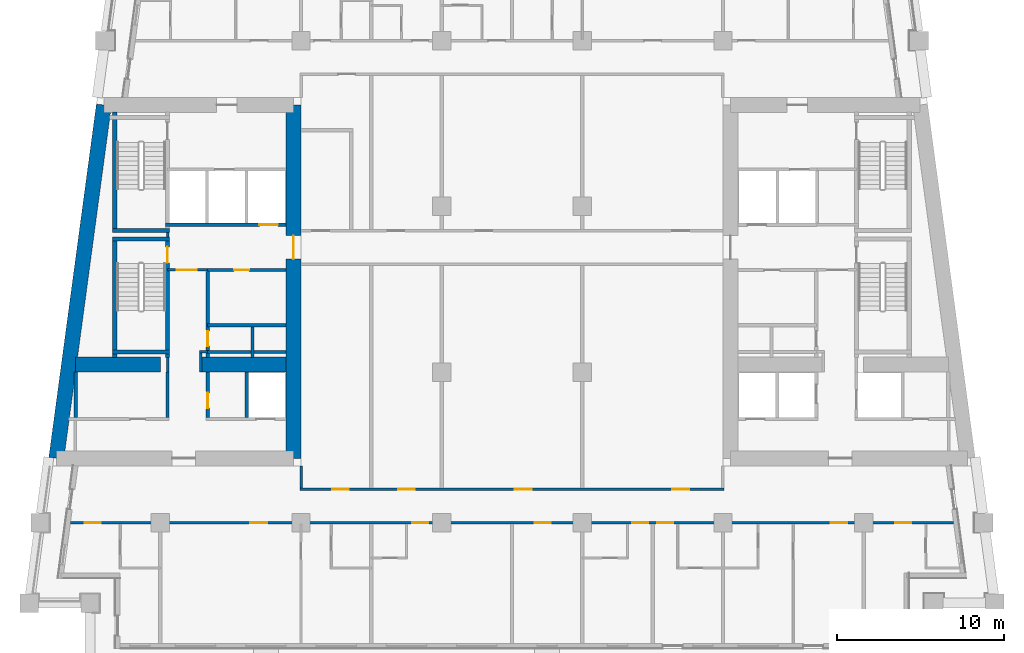
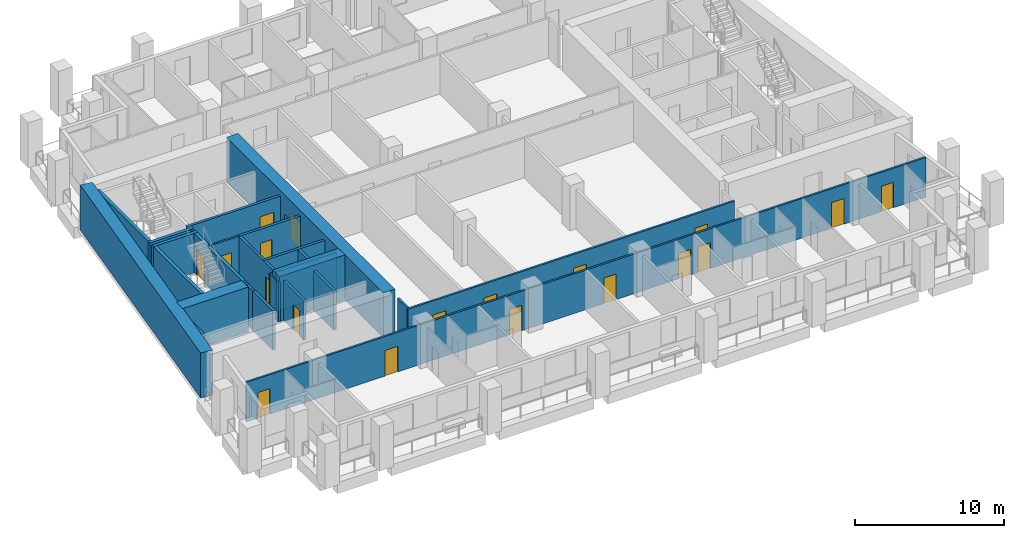
# One storey, part 3 of 13: 28 walls, 19 doors, 19 openings.
"""IFC4 building model written with IfcOpenShell, lengths in metres."""

from ifc_helpers import new_model, si_unit, direction, frame, frame_2d, origin, place, context, subcontext, project, spatial, rectangle, extrude, material, layer, layer_set, type_object, element, fill, save


model = new_model("IFC4")

# Units and contexts
model_context = context("Model", 3, precision=1e-05, world=origin(), true_north=direction((0.0, 1.0)))
body_context = subcontext(model_context, "Body", "Model", "MODEL_VIEW")
ifc_project = project(units=[si_unit("LENGTHUNIT", "METRE"), si_unit("AREAUNIT", "SQUARE_METRE"), si_unit("VOLUMEUNIT", "CUBIC_METRE"), si_unit("PLANEANGLEUNIT", "RADIAN"), si_unit("MASSUNIT", "GRAM", prefix="KILO")], contexts=[model_context])

# Site, building, storey
site_placement = place(None, origin())
site = spatial("IfcSite", under=ifc_project, at=site_placement, CompositionType="ELEMENT")
building_placement = place(site_placement, origin())
building = spatial("IfcBuilding", under=site, at=building_placement, Name="Candeia Pilgrim Tower and Theatre", CompositionType="ELEMENT")
storey_placement = place(building_placement, frame((0.0, 0.0, 188.5)))
storey = spatial("IfcBuildingStorey", under=building, at=storey_placement, Name="L45", CompositionType="ELEMENT", Elevation=188.5)

# Wall, opening, door
ifc_material_1 = material(Name="Concrete C60/75", Category="concrete")
ifc_layer_1 = layer(ifc_material_1, 0.89990234375)
ifc_layer_set_1 = layer_set([ifc_layer_1], Name="Core wall 900 C60/75")
wall_type_1 = type_object("IfcWallType", Name="Core wall 900 C60/75", PredefinedType="SHEAR", material=ifc_layer_set_1)
wall_1_placement = place(storey_placement, frame((100.35009765625, 131.949951171875, 0.0), z_axis=(0.0, 0.0, 1.0), x_axis=(0.0, -1.0, 0.0)))
wall_1 = element("IfcWall", 1, at=wall_1_placement, inside=storey, type_object=wall_type_1, Name="Core wall W2", PredefinedType="SHEAR", context=body_context, shape_type="SweptSolid", body=[
    extrude(rectangle(XDim=21.099853515625, YDim=0.89990234375, at=frame_2d((10.5498046875, 0.0))), origin(), (0.0, 0.0, 1.0), 3.699951171875),
])
opening_1_placement = place(wall_1_placement, frame((7.800048828125, 0.0, 0.0)))
opening_1 = element("IfcOpeningElement", 2, at=opening_1_placement, cuts=wall_1, Name="Opening L45-D057", PredefinedType="OPENING", context=body_context, shape_type="SweptSolid", body=[
    extrude(rectangle(XDim=1.39990234375, YDim=2.10009765625, at=frame_2d((0.699951171875, 1.050048828125))), frame((0.0, 0.4599609375, 0.0), z_axis=(0.0, -1.0, 0.0), x_axis=(1.0, 0.0, 0.0)), (0.0, 0.0, 1.0), 0.919921875),
])
ifc_material_2 = material(Name="Steel fire door set", Category="steel")
door_type_1 = type_object("IfcDoorType", Name="D-1400-FD60", OperationType="NOTDEFINED", PredefinedType="DOOR", material=ifc_material_2)
door_1_placement = place(opening_1_placement, origin())
door_1 = element("IfcDoor", 3, at=door_1_placement, inside=storey, type_object=door_type_1, Name="Door L45-D057", OperationType="SINGLE_SWING_RIGHT", OverallHeight=2.10009765625, OverallWidth=1.39990234375, PredefinedType="DOOR", context=body_context, shape_type="SweptSolid", body=[
    extrude(rectangle(XDim=1.39990234375, YDim=2.10009765625, at=frame_2d((0.699951171875, 1.050048828125))), frame((0.0, 0.02490234375, 0.0), z_axis=(0.0, -1.0, 0.0), x_axis=(1.0, 0.0, 0.0)), (0.0, 0.0, 1.0), 0.050048828125),
])
fill(opening_1, door_1)

# Walls
wall_2_placement = place(storey_placement, frame((86.183837890625, 110.85009765625, 0.0), z_axis=(0.0, 0.0, 1.0), x_axis=(0.133410495943, 0.991060865725, 0.0)))
element("IfcWall", 4, at=wall_2_placement, inside=storey, type_object=wall_type_1, Name="Core wall W4", PredefinedType="SHEAR", context=body_context, shape_type="SweptSolid", body=[
    extrude(rectangle(XDim=21.290283203125, YDim=0.89990234375, at=frame_2d((10.64501953125, 0.0))), origin(), (0.0, 0.0, 1.0), 3.699951171875),
])
wall_3_placement = place(storey_placement, frame((87.322998046875, 116.449951171875, 0.0), z_axis=(0.0, 0.0, 1.0), x_axis=(1.0, 0.0, 0.0)))
element("IfcWall", 5, at=wall_3_placement, inside=storey, type_object=wall_type_1, Name="Core wall W5", PredefinedType="SHEAR", context=body_context, shape_type="SweptSolid", body=[
    extrude(rectangle(XDim=5.076904296875, YDim=0.89990234375, at=frame_2d((2.53857421875, 0.0))), origin(), (0.0, 0.0, 1.0), 3.699951171875),
])
wall_4_placement = place(storey_placement, frame((94.800048828125, 116.449951171875, 0.0), z_axis=(0.0, 0.0, 1.0), x_axis=(1.0, 0.0, 0.0)))
element("IfcWall", 6, at=wall_4_placement, inside=storey, type_object=wall_type_1, Name="Core wall W6", PredefinedType="SHEAR", context=body_context, shape_type="SweptSolid", body=[
    extrude(rectangle(XDim=5.099853515625, YDim=0.89990234375, at=frame_2d((2.5498046875, 0.0))), origin(), (0.0, 0.0, 1.0), 3.699951171875),
])
ifc_material_3 = material(Name="Gypsum board partition on steel studs", Category="steel")
ifc_layer_2 = layer(ifc_material_3, 0.14990234375)
ifc_layer_set_2 = layer_set([ifc_layer_2], Name="PW-150 lobby wall")
wall_type_2 = type_object("IfcWallType", Name="PW-150 lobby wall", PredefinedType="PARTITIONING", material=ifc_layer_set_2)
wall_5_placement = place(storey_placement, frame((94.72509765625, 117.199951171875, 0.0), z_axis=(0.0, 0.0, 1.0), x_axis=(1.0, 0.0, 0.0)))
element("IfcWall", 7, at=wall_5_placement, inside=storey, type_object=wall_type_2, Name="Lobby wall L45-015", PredefinedType="PARTITIONING", context=body_context, shape_type="SweptSolid", body=[
    extrude(rectangle(XDim=0.501953125, YDim=0.14990234375, at=frame_2d((0.2509765625, 0.0))), origin(), (0.0, 0.0, 1.0), 3.25),
])

# Wall, opening, door
wall_6_placement = place(storey_placement, frame((92.826904296875, 122.10009765625, 0.0), z_axis=(0.0, 0.0, 1.0), x_axis=(1.0, 0.0, 0.0)))
wall_6 = element("IfcWall", 8, at=wall_6_placement, inside=storey, type_object=wall_type_2, Name="Lobby wall L45-023", PredefinedType="PARTITIONING", context=body_context, shape_type="SweptSolid", body=[
    extrude(rectangle(XDim=2.400146484375, YDim=0.14990234375, at=frame_2d((1.2001953125, 0.0))), origin(), (0.0, 0.0, 1.0), 3.25),
])
opening_2_placement = place(wall_6_placement, frame((0.550048828125, 0.0, 0.0)))
opening_2 = element("IfcOpeningElement", 9, at=opening_2_placement, cuts=wall_6, Name="Opening L45-D001", PredefinedType="OPENING", context=body_context, shape_type="SweptSolid", body=[
    extrude(rectangle(XDim=1.199951171875, YDim=2.10009765625, at=frame_2d((0.60009765625, 1.050048828125))), frame((0.0, 0.0849609375, 0.0), z_axis=(0.0, -1.0, 0.0), x_axis=(1.0, 0.0, 0.0)), (0.0, 0.0, 1.0), 0.169921875),
])
door_type_2 = type_object("IfcDoorType", Name="D-1200-FD60", OperationType="NOTDEFINED", PredefinedType="DOOR", material=ifc_material_2)
door_2_placement = place(opening_2_placement, origin())
door_2 = element("IfcDoor", 10, at=door_2_placement, inside=storey, type_object=door_type_2, Name="Door L45-D001", OperationType="SINGLE_SWING_RIGHT", OverallHeight=2.10009765625, OverallWidth=1.199951171875, PredefinedType="DOOR", context=body_context, shape_type="SweptSolid", body=[
    extrude(rectangle(XDim=1.199951171875, YDim=2.10009765625, at=frame_2d((0.60009765625, 1.050048828125))), frame((0.0, 0.02490234375, 0.0), z_axis=(0.0, -1.0, 0.0), x_axis=(1.0, 0.0, 0.0)), (0.0, 0.0, 1.0), 0.050048828125),
])
fill(opening_2, door_2)

# Walls
wall_7_placement = place(storey_placement, frame((92.826904296875, 116.0, 0.0), z_axis=(0.0, 0.0, 1.0), x_axis=(0.0, 1.0, 0.0)))
element("IfcWall", 11, at=wall_7_placement, inside=storey, type_object=wall_type_2, Name="Lobby wall L45-055", PredefinedType="PARTITIONING", context=body_context, shape_type="SweptSolid", body=[
    extrude(rectangle(XDim=0.8701171875, YDim=0.14990234375, at=frame_2d((0.43505859375, 0.0))), origin(), (0.0, 0.0, 1.0), 3.25),
])
wall_8_placement = place(storey_placement, frame((92.826904296875, 124.074951171875, 0.0), z_axis=(0.0, 0.0, 1.0), x_axis=(0.0, 1.0, 0.0)))
element("IfcWall", 12, at=wall_8_placement, inside=storey, type_object=wall_type_2, Name="Lobby wall L45-056", PredefinedType="PARTITIONING", context=body_context, shape_type="SweptSolid", body=[
    extrude(rectangle(XDim=0.25, YDim=0.14990234375, at=frame_2d((0.125, 0.0))), origin(), (0.0, 0.0, 1.0), 3.25),
])
wall_9_placement = place(storey_placement, frame((94.800048828125, 116.0, 0.0), z_axis=(0.0, 0.0, 1.0), x_axis=(0.0, 1.0, 0.0)))
element("IfcWall", 13, at=wall_9_placement, inside=storey, type_object=wall_type_2, Name="Lobby wall L45-060", PredefinedType="PARTITIONING", context=body_context, shape_type="SweptSolid", body=[
    extrude(rectangle(XDim=1.125, YDim=0.14990234375, at=frame_2d((0.5625, 0.0))), origin(), (0.0, 0.0, 1.0), 3.25),
])

# Wall, openings, doors
ifc_layer_3 = layer(ifc_material_3, 0.14990234375)
ifc_layer_set_3 = layer_set([ifc_layer_3], Name="PW-150 unit wall")
wall_type_3 = type_object("IfcWallType", Name="PW-150 unit wall", PredefinedType="PARTITIONING", material=ifc_layer_set_3)
wall_10_placement = place(storey_placement, frame((87.017578125, 107.0, 0.0), z_axis=(0.0, 0.0, 1.0), x_axis=(1.0, 0.0, 0.0)))
wall_10 = element("IfcWall", 14, at=wall_10_placement, inside=storey, type_object=wall_type_3, Name="Unit wall L45-007", PredefinedType="PARTITIONING", context=body_context, shape_type="SweptSolid", body=[
    extrude(rectangle(XDim=52.7646484375, YDim=0.14990234375, at=frame_2d((26.38232421875, 0.0))), origin(), (0.0, 0.0, 1.0), 3.25),
])
opening_3_placement = place(wall_10_placement, frame((0.870361328125, 0.0, 0.0)))
opening_3 = element("IfcOpeningElement", 15, at=opening_3_placement, cuts=wall_10, Name="Opening L45-D014", PredefinedType="OPENING", context=body_context, shape_type="SweptSolid", body=[
    extrude(rectangle(XDim=0.949951171875, YDim=2.10009765625, at=frame_2d((0.47509765625, 1.050048828125))), frame((0.0, 0.0849609375, 0.0), z_axis=(0.0, -1.0, 0.0), x_axis=(1.0, 0.0, 0.0)), (0.0, 0.0, 1.0), 0.169921875),
])
opening_4_placement = place(wall_10_placement, frame((10.75732421875, 0.0, 0.0)))
opening_4 = element("IfcOpeningElement", 16, at=opening_4_placement, cuts=wall_10, Name="Opening L45-D016", PredefinedType="OPENING", context=body_context, shape_type="SweptSolid", body=[
    extrude(rectangle(XDim=1.0, YDim=2.10009765625, at=frame_2d((0.5, 1.050048828125))), frame((0.0, 0.0849609375, 0.0), z_axis=(0.0, -1.0, 0.0), x_axis=(1.0, 0.0, 0.0)), (0.0, 0.0, 1.0), 0.169921875),
])
opening_5_placement = place(wall_10_placement, frame((20.432373046875, 0.0, 0.0)))
opening_5 = element("IfcOpeningElement", 17, at=opening_5_placement, cuts=wall_10, Name="Opening L45-D019", PredefinedType="OPENING", context=body_context, shape_type="SweptSolid", body=[
    extrude(rectangle(XDim=0.949951171875, YDim=2.10009765625, at=frame_2d((0.47509765625, 1.050048828125))), frame((0.0, 0.0849609375, 0.0), z_axis=(0.0, -1.0, 0.0), x_axis=(1.0, 0.0, 0.0)), (0.0, 0.0, 1.0), 0.169921875),
])
opening_6_placement = place(wall_10_placement, frame((27.752197265625, 0.0, 0.0)))
opening_6 = element("IfcOpeningElement", 18, at=opening_6_placement, cuts=wall_10, Name="Opening L45-D021", PredefinedType="OPENING", context=body_context, shape_type="SweptSolid", body=[
    extrude(rectangle(XDim=0.949951171875, YDim=2.10009765625, at=frame_2d((0.47509765625, 1.050048828125))), frame((0.0, 0.0849609375, 0.0), z_axis=(0.0, -1.0, 0.0), x_axis=(1.0, 0.0, 0.0)), (0.0, 0.0, 1.0), 0.169921875),
])
opening_7_placement = place(wall_10_placement, frame((33.557373046875, 0.0, 0.0)))
opening_7 = element("IfcOpeningElement", 19, at=opening_7_placement, cuts=wall_10, Name="Opening L45-D022", PredefinedType="OPENING", context=body_context, shape_type="SweptSolid", body=[
    extrude(rectangle(XDim=0.949951171875, YDim=2.10009765625, at=frame_2d((0.47509765625, 1.050048828125))), frame((0.0, 0.0849609375, 0.0), z_axis=(0.0, -1.0, 0.0), x_axis=(1.0, 0.0, 0.0)), (0.0, 0.0, 1.0), 0.169921875),
])
opening_8_placement = place(wall_10_placement, frame((35.057373046875, 0.0, 0.0)))
opening_8 = element("IfcOpeningElement", 20, at=opening_8_placement, cuts=wall_10, Name="Opening L45-D024", PredefinedType="OPENING", context=body_context, shape_type="SweptSolid", body=[
    extrude(rectangle(XDim=0.949951171875, YDim=2.10009765625, at=frame_2d((0.47509765625, 1.050048828125))), frame((0.0, 0.0849609375, 0.0), z_axis=(0.0, -1.0, 0.0), x_axis=(1.0, 0.0, 0.0)), (0.0, 0.0, 1.0), 0.169921875),
])
opening_9_placement = place(wall_10_placement, frame((45.4072265625, 0.0, 0.0)))
opening_9 = element("IfcOpeningElement", 21, at=opening_9_placement, cuts=wall_10, Name="Opening L45-D026", PredefinedType="OPENING", context=body_context, shape_type="SweptSolid", body=[
    extrude(rectangle(XDim=1.0, YDim=2.10009765625, at=frame_2d((0.5, 1.050048828125))), frame((0.0, 0.0849609375, 0.0), z_axis=(0.0, -1.0, 0.0), x_axis=(1.0, 0.0, 0.0)), (0.0, 0.0, 1.0), 0.169921875),
])
opening_10_placement = place(wall_10_placement, frame((49.285400390625, 0.0, 0.0)))
opening_10 = element("IfcOpeningElement", 22, at=opening_10_placement, cuts=wall_10, Name="Opening L45-D029", PredefinedType="OPENING", context=body_context, shape_type="SweptSolid", body=[
    extrude(rectangle(XDim=0.949951171875, YDim=2.10009765625, at=frame_2d((0.47509765625, 1.050048828125))), frame((0.0, 0.0849609375, 0.0), z_axis=(0.0, -1.0, 0.0), x_axis=(1.0, 0.0, 0.0)), (0.0, 0.0, 1.0), 0.169921875),
])
door_type_3 = type_object("IfcDoorType", Name="D-1000-FD30S", OperationType="NOTDEFINED", PredefinedType="DOOR", material=ifc_material_2)
door_3_placement = place(opening_4_placement, origin())
door_3 = element("IfcDoor", 23, at=door_3_placement, inside=storey, type_object=door_type_3, Name="Door L45-D016", OperationType="SINGLE_SWING_LEFT", OverallHeight=2.10009765625, OverallWidth=1.0, PredefinedType="DOOR", context=body_context, shape_type="SweptSolid", body=[
    extrude(rectangle(XDim=1.0, YDim=2.10009765625, at=frame_2d((0.5, 1.050048828125))), frame((0.0, 0.02490234375, 0.0), z_axis=(0.0, -1.0, 0.0), x_axis=(1.0, 0.0, 0.0)), (0.0, 0.0, 1.0), 0.050048828125),
])
fill(opening_4, door_3)
door_4_placement = place(opening_9_placement, origin())
door_4 = element("IfcDoor", 24, at=door_4_placement, inside=storey, type_object=door_type_3, Name="Door L45-D026", OperationType="SINGLE_SWING_LEFT", OverallHeight=2.10009765625, OverallWidth=1.0, PredefinedType="DOOR", context=body_context, shape_type="SweptSolid", body=[
    extrude(rectangle(XDim=1.0, YDim=2.10009765625, at=frame_2d((0.5, 1.050048828125))), frame((0.0, 0.02490234375, 0.0), z_axis=(0.0, -1.0, 0.0), x_axis=(1.0, 0.0, 0.0)), (0.0, 0.0, 1.0), 0.050048828125),
])
fill(opening_9, door_4)
door_type_4 = type_object("IfcDoorType", Name="D-950-FD30S", OperationType="NOTDEFINED", PredefinedType="DOOR", material=ifc_material_2)
door_5_placement = place(opening_3_placement, origin())
door_5 = element("IfcDoor", 25, at=door_5_placement, inside=storey, type_object=door_type_4, Name="Door L45-D014", OperationType="SINGLE_SWING_LEFT", OverallHeight=2.10009765625, OverallWidth=0.949951171875, PredefinedType="DOOR", context=body_context, shape_type="SweptSolid", body=[
    extrude(rectangle(XDim=0.949951171875, YDim=2.10009765625, at=frame_2d((0.47509765625, 1.050048828125))), frame((0.0, 0.02490234375, 0.0), z_axis=(0.0, -1.0, 0.0), x_axis=(1.0, 0.0, 0.0)), (0.0, 0.0, 1.0), 0.050048828125),
])
fill(opening_3, door_5)
door_6_placement = place(opening_5_placement, origin())
door_6 = element("IfcDoor", 26, at=door_6_placement, inside=storey, type_object=door_type_4, Name="Door L45-D019", OperationType="SINGLE_SWING_RIGHT", OverallHeight=2.10009765625, OverallWidth=0.949951171875, PredefinedType="DOOR", context=body_context, shape_type="SweptSolid", body=[
    extrude(rectangle(XDim=0.949951171875, YDim=2.10009765625, at=frame_2d((0.47509765625, 1.050048828125))), frame((0.0, 0.02490234375, 0.0), z_axis=(0.0, -1.0, 0.0), x_axis=(1.0, 0.0, 0.0)), (0.0, 0.0, 1.0), 0.050048828125),
])
fill(opening_5, door_6)
door_7_placement = place(opening_6_placement, origin())
door_7 = element("IfcDoor", 27, at=door_7_placement, inside=storey, type_object=door_type_4, Name="Door L45-D021", OperationType="SINGLE_SWING_RIGHT", OverallHeight=2.10009765625, OverallWidth=0.949951171875, PredefinedType="DOOR", context=body_context, shape_type="SweptSolid", body=[
    extrude(rectangle(XDim=0.949951171875, YDim=2.10009765625, at=frame_2d((0.47509765625, 1.050048828125))), frame((0.0, 0.02490234375, 0.0), z_axis=(0.0, -1.0, 0.0), x_axis=(1.0, 0.0, 0.0)), (0.0, 0.0, 1.0), 0.050048828125),
])
fill(opening_6, door_7)
door_8_placement = place(opening_7_placement, origin())
door_8 = element("IfcDoor", 28, at=door_8_placement, inside=storey, type_object=door_type_4, Name="Door L45-D022", OperationType="SINGLE_SWING_LEFT", OverallHeight=2.10009765625, OverallWidth=0.949951171875, PredefinedType="DOOR", context=body_context, shape_type="SweptSolid", body=[
    extrude(rectangle(XDim=0.949951171875, YDim=2.10009765625, at=frame_2d((0.47509765625, 1.050048828125))), frame((0.0, 0.02490234375, 0.0), z_axis=(0.0, -1.0, 0.0), x_axis=(1.0, 0.0, 0.0)), (0.0, 0.0, 1.0), 0.050048828125),
])
fill(opening_7, door_8)
door_9_placement = place(opening_8_placement, origin())
door_9 = element("IfcDoor", 29, at=door_9_placement, inside=storey, type_object=door_type_4, Name="Door L45-D024", OperationType="SINGLE_SWING_LEFT", OverallHeight=2.10009765625, OverallWidth=0.949951171875, PredefinedType="DOOR", context=body_context, shape_type="SweptSolid", body=[
    extrude(rectangle(XDim=0.949951171875, YDim=2.10009765625, at=frame_2d((0.47509765625, 1.050048828125))), frame((0.0, 0.02490234375, 0.0), z_axis=(0.0, -1.0, 0.0), x_axis=(1.0, 0.0, 0.0)), (0.0, 0.0, 1.0), 0.050048828125),
])
fill(opening_8, door_9)
door_10_placement = place(opening_10_placement, origin())
door_10 = element("IfcDoor", 30, at=door_10_placement, inside=storey, type_object=door_type_4, Name="Door L45-D029", OperationType="SINGLE_SWING_RIGHT", OverallHeight=2.10009765625, OverallWidth=0.949951171875, PredefinedType="DOOR", context=body_context, shape_type="SweptSolid", body=[
    extrude(rectangle(XDim=0.949951171875, YDim=2.10009765625, at=frame_2d((0.47509765625, 1.050048828125))), frame((0.0, 0.02490234375, 0.0), z_axis=(0.0, -1.0, 0.0), x_axis=(1.0, 0.0, 0.0)), (0.0, 0.0, 1.0), 0.050048828125),
])
fill(opening_10, door_10)

wall_11_placement = place(storey_placement, frame((100.72509765625, 109.0, 0.0), z_axis=(0.0, 0.0, 1.0), x_axis=(1.0, 0.0, 0.0)))
wall_11 = element("IfcWall", 31, at=wall_11_placement, inside=storey, type_object=wall_type_3, Name="Unit wall L45-008", PredefinedType="PARTITIONING", context=body_context, shape_type="SweptSolid", body=[
    extrude(rectangle(XDim=25.349853515625, YDim=0.14990234375, at=frame_2d((12.6748046875, 0.0))), origin(), (0.0, 0.0, 1.0), 3.25),
])
opening_11_placement = place(wall_11_placement, frame((1.925048828125, 0.0, 0.0)))
opening_11 = element("IfcOpeningElement", 32, at=opening_11_placement, cuts=wall_11, Name="Opening L45-D047", PredefinedType="OPENING", context=body_context, shape_type="SweptSolid", body=[
    extrude(rectangle(XDim=1.0, YDim=2.10009765625, at=frame_2d((0.5, 1.050048828125))), frame((0.0, 0.0849609375, 0.0), z_axis=(0.0, -1.0, 0.0), x_axis=(1.0, 0.0, 0.0)), (0.0, 0.0, 1.0), 0.169921875),
])
opening_12_placement = place(wall_11_placement, frame((5.875, 0.0, 0.0)))
opening_12 = element("IfcOpeningElement", 33, at=opening_12_placement, cuts=wall_11, Name="Opening L45-D048", PredefinedType="OPENING", context=body_context, shape_type="SweptSolid", body=[
    extrude(rectangle(XDim=1.0, YDim=2.10009765625, at=frame_2d((0.5, 1.050048828125))), frame((0.0, 0.0849609375, 0.0), z_axis=(0.0, -1.0, 0.0), x_axis=(1.0, 0.0, 0.0)), (0.0, 0.0, 1.0), 0.169921875),
])
opening_13_placement = place(wall_11_placement, frame((12.844970703125, 0.0, 0.0)))
opening_13 = element("IfcOpeningElement", 34, at=opening_13_placement, cuts=wall_11, Name="Opening L45-D049", PredefinedType="OPENING", context=body_context, shape_type="SweptSolid", body=[
    extrude(rectangle(XDim=1.0, YDim=2.10009765625, at=frame_2d((0.5, 1.050048828125))), frame((0.0, 0.0849609375, 0.0), z_axis=(0.0, -1.0, 0.0), x_axis=(1.0, 0.0, 0.0)), (0.0, 0.0, 1.0), 0.169921875),
])
opening_14_placement = place(wall_11_placement, frame((22.25, 0.0, 0.0)))
opening_14 = element("IfcOpeningElement", 35, at=opening_14_placement, cuts=wall_11, Name="Opening L45-D050", PredefinedType="OPENING", context=body_context, shape_type="SweptSolid", body=[
    extrude(rectangle(XDim=1.0, YDim=2.10009765625, at=frame_2d((0.5, 1.050048828125))), frame((0.0, 0.0849609375, 0.0), z_axis=(0.0, -1.0, 0.0), x_axis=(1.0, 0.0, 0.0)), (0.0, 0.0, 1.0), 0.169921875),
])
door_11_placement = place(opening_11_placement, origin())
door_11 = element("IfcDoor", 36, at=door_11_placement, inside=storey, type_object=door_type_3, Name="Door L45-D047", OperationType="SINGLE_SWING_RIGHT", OverallHeight=2.10009765625, OverallWidth=1.0, PredefinedType="DOOR", context=body_context, shape_type="SweptSolid", body=[
    extrude(rectangle(XDim=1.0, YDim=2.10009765625, at=frame_2d((0.5, 1.050048828125))), frame((0.0, 0.02490234375, 0.0), z_axis=(0.0, -1.0, 0.0), x_axis=(1.0, 0.0, 0.0)), (0.0, 0.0, 1.0), 0.050048828125),
])
fill(opening_11, door_11)
door_12_placement = place(opening_12_placement, origin())
door_12 = element("IfcDoor", 37, at=door_12_placement, inside=storey, type_object=door_type_3, Name="Door L45-D048", OperationType="SINGLE_SWING_LEFT", OverallHeight=2.10009765625, OverallWidth=1.0, PredefinedType="DOOR", context=body_context, shape_type="SweptSolid", body=[
    extrude(rectangle(XDim=1.0, YDim=2.10009765625, at=frame_2d((0.5, 1.050048828125))), frame((0.0, 0.02490234375, 0.0), z_axis=(0.0, -1.0, 0.0), x_axis=(1.0, 0.0, 0.0)), (0.0, 0.0, 1.0), 0.050048828125),
])
fill(opening_12, door_12)
door_13_placement = place(opening_13_placement, origin())
door_13 = element("IfcDoor", 38, at=door_13_placement, inside=storey, type_object=door_type_3, Name="Door L45-D049", OperationType="SINGLE_SWING_RIGHT", OverallHeight=2.10009765625, OverallWidth=1.0, PredefinedType="DOOR", context=body_context, shape_type="SweptSolid", body=[
    extrude(rectangle(XDim=1.0, YDim=2.10009765625, at=frame_2d((0.5, 1.050048828125))), frame((0.0, 0.02490234375, 0.0), z_axis=(0.0, -1.0, 0.0), x_axis=(1.0, 0.0, 0.0)), (0.0, 0.0, 1.0), 0.050048828125),
])
fill(opening_13, door_13)
door_14_placement = place(opening_14_placement, origin())
door_14 = element("IfcDoor", 39, at=door_14_placement, inside=storey, type_object=door_type_3, Name="Door L45-D050", OperationType="SINGLE_SWING_LEFT", OverallHeight=2.10009765625, OverallWidth=1.0, PredefinedType="DOOR", context=body_context, shape_type="SweptSolid", body=[
    extrude(rectangle(XDim=1.0, YDim=2.10009765625, at=frame_2d((0.5, 1.050048828125))), frame((0.0, 0.02490234375, 0.0), z_axis=(0.0, -1.0, 0.0), x_axis=(1.0, 0.0, 0.0)), (0.0, 0.0, 1.0), 0.050048828125),
])
fill(opening_14, door_14)

# Walls
wall_12_placement = place(storey_placement, frame((100.800048828125, 109.074951171875, 0.0), z_axis=(0.0, 0.0, 1.0), x_axis=(0.0, 1.0, 0.0)))
element("IfcWall", 40, at=wall_12_placement, inside=storey, type_object=wall_type_3, Name="Unit wall L45-070", PredefinedType="PARTITIONING", context=body_context, shape_type="SweptSolid", body=[
    extrude(rectangle(XDim=1.324951171875, YDim=0.14990234375, at=frame_2d((0.66259765625, 0.0))), origin(), (0.0, 0.0, 1.0), 3.25),
])
ifc_material_4 = material(Name="Concrete C40/50", Category="concrete")
ifc_layer_4 = layer(ifc_material_4, 0.199951171875)
ifc_layer_set_4 = layer_set([ifc_layer_4], Name="SW-200 shaft wall")
wall_type_4 = type_object("IfcWallType", Name="SW-200 shaft wall", PredefinedType="PARTITIONING", material=ifc_layer_set_4)
for number, where, z_axis, x_axis, name in (
    (41, (95.22705078125, 117.199951171875, 0.0), (0.0, 0.0, 1.0), (1.0, 0.0, 0.0), "Shaft wall L45-013"),
    (42, (95.22705078125, 118.800048828125, 0.0), (0.0, 0.0, 1.0), (1.0, 0.0, 0.0), "Shaft wall L45-019"),
):
    element("IfcWall", number, at=place(storey_placement, frame(where, z_axis=z_axis, x_axis=x_axis)), inside=storey, type_object=wall_type_4, Name=name, PredefinedType="PARTITIONING", context=body_context, shape_type="SweptSolid", body=[
        extrude(rectangle(XDim=4.6728515625, YDim=0.199951171875, at=frame_2d((2.33642578125, 0.0))), origin(), (0.0, 0.0, 1.0), 3.25),
    ])

# Wall, opening, door
wall_13_placement = place(storey_placement, frame((95.22705078125, 122.10009765625, 0.0), z_axis=(0.0, 0.0, 1.0), x_axis=(1.0, 0.0, 0.0)))
wall_13 = element("IfcWall", 43, at=wall_13_placement, inside=storey, type_object=wall_type_4, Name="Shaft wall L45-021", PredefinedType="PARTITIONING", context=body_context, shape_type="SweptSolid", body=[
    extrude(rectangle(XDim=4.6728515625, YDim=0.199951171875, at=frame_2d((2.33642578125, 0.0))), origin(), (0.0, 0.0, 1.0), 3.25),
])
opening_15_placement = place(wall_13_placement, frame((1.5791015625, 0.0, 0.0)))
opening_15 = element("IfcOpeningElement", 44, at=opening_15_placement, cuts=wall_13, Name="Opening L45-D002", PredefinedType="OPENING", context=body_context, shape_type="SweptSolid", body=[
    extrude(rectangle(XDim=0.89990234375, YDim=2.10009765625, at=frame_2d((0.449951171875, 1.050048828125))), frame((0.0, 0.10986328125, 0.0), z_axis=(0.0, -1.0, 0.0), x_axis=(1.0, 0.0, 0.0)), (0.0, 0.0, 1.0), 0.219970703125),
])
door_type_5 = type_object("IfcDoorType", Name="D-900-FD60", OperationType="NOTDEFINED", PredefinedType="DOOR", material=ifc_material_2)
door_15_placement = place(opening_15_placement, origin())
door_15 = element("IfcDoor", 45, at=door_15_placement, inside=storey, type_object=door_type_5, Name="Door L45-D002", OperationType="SINGLE_SWING_LEFT", OverallHeight=2.10009765625, OverallWidth=0.89990234375, PredefinedType="DOOR", context=body_context, shape_type="SweptSolid", body=[
    extrude(rectangle(XDim=0.89990234375, YDim=2.10009765625, at=frame_2d((0.449951171875, 1.050048828125))), frame((0.0, 0.02490234375, 0.0), z_axis=(0.0, -1.0, 0.0), x_axis=(1.0, 0.0, 0.0)), (0.0, 0.0, 1.0), 0.050048828125),
])
fill(opening_15, door_15)

wall_14_placement = place(storey_placement, frame((92.701904296875, 124.800048828125, 0.0), z_axis=(0.0, 0.0, 1.0), x_axis=(1.0, 0.0, 0.0)))
wall_14 = element("IfcWall", 46, at=wall_14_placement, inside=storey, type_object=wall_type_4, Name="Shaft wall L45-031", PredefinedType="PARTITIONING", context=body_context, shape_type="SweptSolid", body=[
    extrude(rectangle(XDim=7.197998046875, YDim=0.199951171875, at=frame_2d((3.59912109375, 0.0))), origin(), (0.0, 0.0, 1.0), 3.25),
])
opening_16_placement = place(wall_14_placement, frame((5.60888671875, 0.0, 0.0)))
opening_16 = element("IfcOpeningElement", 47, at=opening_16_placement, cuts=wall_14, Name="Opening L45-LD02", PredefinedType="OPENING", context=body_context, shape_type="SweptSolid", body=[
    extrude(rectangle(XDim=1.10009765625, YDim=2.10009765625, at=frame_2d((0.550048828125, 1.050048828125))), frame((0.0, 0.10986328125, 0.0), z_axis=(0.0, -1.0, 0.0), x_axis=(1.0, 0.0, 0.0)), (0.0, 0.0, 1.0), 0.219970703125),
])
ifc_material_5 = material(Name="Glazed aluminium landing door", Category="aluminium")
door_type_6 = type_object("IfcDoorType", Name="LD-1100-EI120", OperationType="SLIDING_TO_LEFT", PredefinedType="DOOR", material=ifc_material_5)
door_16_placement = place(opening_16_placement, origin())
door_16 = element("IfcDoor", 48, at=door_16_placement, inside=storey, type_object=door_type_6, Name="Landing door 02 L45", OperationType="SLIDING_TO_LEFT", OverallHeight=2.10009765625, OverallWidth=1.10009765625, PredefinedType="DOOR", context=body_context, shape_type="SweptSolid", body=[
    extrude(rectangle(XDim=1.10009765625, YDim=2.10009765625, at=frame_2d((0.550048828125, 1.050048828125))), frame((0.0, 0.02490234375, 0.0), z_axis=(0.0, -1.0, 0.0), x_axis=(1.0, 0.0, 0.0)), (0.0, 0.0, 1.0), 0.050048828125),
])
fill(opening_16, door_16)

# Walls
for number, where, z_axis, x_axis, name in (
    (49, (87.350341796875, 113.300048828125, 0.0), (0.0, 0.0, 1.0), (0.0, 1.0, 0.0), "Shaft wall L45-048"),
    (50, (92.826904296875, 113.300048828125, 0.0), (0.0, 0.0, 1.0), (0.0, 1.0, 0.0), "Shaft wall L45-054"),
):
    element("IfcWall", number, at=place(storey_placement, frame(where, z_axis=z_axis, x_axis=x_axis)), inside=storey, type_object=wall_type_4, Name=name, PredefinedType="PARTITIONING", context=body_context, shape_type="SweptSolid", body=[
        extrude(rectangle(XDim=2.699951171875, YDim=0.199951171875, at=frame_2d((1.35009765625, 0.0))), origin(), (0.0, 0.0, 1.0), 3.25),
    ])

# Wall, opening, door
wall_15_placement = place(storey_placement, frame((95.22705078125, 113.300048828125, 0.0), z_axis=(0.0, 0.0, 1.0), x_axis=(0.0, 1.0, 0.0)))
wall_15 = element("IfcWall", 51, at=wall_15_placement, inside=storey, type_object=wall_type_4, Name="Shaft wall L45-062", PredefinedType="PARTITIONING", context=body_context, shape_type="SweptSolid", body=[
    extrude(rectangle(XDim=2.699951171875, YDim=0.199951171875, at=frame_2d((1.35009765625, 0.0))), origin(), (0.0, 0.0, 1.0), 3.25),
])
opening_17_placement = place(wall_15_placement, frame((0.550048828125, 0.0, 0.0)))
opening_17 = element("IfcOpeningElement", 52, at=opening_17_placement, cuts=wall_15, Name="Opening L45-D007", PredefinedType="OPENING", context=body_context, shape_type="SweptSolid", body=[
    extrude(rectangle(XDim=0.89990234375, YDim=2.10009765625, at=frame_2d((0.449951171875, 1.050048828125))), frame((0.0, 0.10986328125, 0.0), z_axis=(0.0, -1.0, 0.0), x_axis=(1.0, 0.0, 0.0)), (0.0, 0.0, 1.0), 0.219970703125),
])
door_17_placement = place(opening_17_placement, origin())
door_17 = element("IfcDoor", 53, at=door_17_placement, inside=storey, type_object=door_type_5, Name="Door L45-D007", OperationType="SINGLE_SWING_LEFT", OverallHeight=2.10009765625, OverallWidth=0.89990234375, PredefinedType="DOOR", context=body_context, shape_type="SweptSolid", body=[
    extrude(rectangle(XDim=0.89990234375, YDim=2.10009765625, at=frame_2d((0.449951171875, 1.050048828125))), frame((0.0, 0.02490234375, 0.0), z_axis=(0.0, -1.0, 0.0), x_axis=(1.0, 0.0, 0.0)), (0.0, 0.0, 1.0), 0.050048828125),
])
fill(opening_17, door_17)

wall_16_placement = place(storey_placement, frame((95.22705078125, 116.8701171875, 0.0), z_axis=(0.0, 0.0, 1.0), x_axis=(0.0, 1.0, 0.0)))
wall_16 = element("IfcWall", 54, at=wall_16_placement, inside=storey, type_object=wall_type_4, Name="Shaft wall L45-063", PredefinedType="PARTITIONING", context=body_context, shape_type="SweptSolid", body=[
    extrude(rectangle(XDim=5.1298828125, YDim=0.199951171875, at=frame_2d((2.56494140625, 0.0))), origin(), (0.0, 0.0, 1.0), 3.25),
])
opening_18_placement = place(wall_16_placement, frame((0.679931640625, 0.0, 0.0)))
opening_18 = element("IfcOpeningElement", 55, at=opening_18_placement, cuts=wall_16, Name="Opening L45-D005", PredefinedType="OPENING", context=body_context, shape_type="SweptSolid", body=[
    extrude(rectangle(XDim=0.89990234375, YDim=2.10009765625, at=frame_2d((0.449951171875, 1.050048828125))), frame((0.0, 0.10986328125, 0.0), z_axis=(0.0, -1.0, 0.0), x_axis=(1.0, 0.0, 0.0)), (0.0, 0.0, 1.0), 0.219970703125),
])
door_18_placement = place(opening_18_placement, origin())
door_18 = element("IfcDoor", 56, at=door_18_placement, inside=storey, type_object=door_type_5, Name="Door L45-D005", OperationType="SINGLE_SWING_RIGHT", OverallHeight=2.10009765625, OverallWidth=0.89990234375, PredefinedType="DOOR", context=body_context, shape_type="SweptSolid", body=[
    extrude(rectangle(XDim=0.89990234375, YDim=2.10009765625, at=frame_2d((0.449951171875, 1.050048828125))), frame((0.0, 0.02490234375, 0.0), z_axis=(0.0, -1.0, 0.0), x_axis=(1.0, 0.0, 0.0)), (0.0, 0.0, 1.0), 0.050048828125),
])
fill(opening_18, door_18)

# Walls
wall_17_placement = place(storey_placement, frame((97.5634765625, 113.300048828125, 0.0), z_axis=(0.0, 0.0, 1.0), x_axis=(0.0, 1.0, 0.0)))
element("IfcWall", 57, at=wall_17_placement, inside=storey, type_object=wall_type_4, Name="Shaft wall L45-066", PredefinedType="PARTITIONING", context=body_context, shape_type="SweptSolid", body=[
    extrude(rectangle(XDim=2.699951171875, YDim=0.199951171875, at=frame_2d((1.35009765625, 0.0))), origin(), (0.0, 0.0, 1.0), 3.25),
])
wall_18_placement = place(storey_placement, frame((97.89990234375, 116.8701171875, 0.0), z_axis=(0.0, 0.0, 1.0), x_axis=(0.0, 1.0, 0.0)))
element("IfcWall", 58, at=wall_18_placement, inside=storey, type_object=wall_type_4, Name="Shaft wall L45-067", PredefinedType="PARTITIONING", context=body_context, shape_type="SweptSolid", body=[
    extrude(rectangle(XDim=1.829833984375, YDim=0.199951171875, at=frame_2d((0.9150390625, 0.0))), origin(), (0.0, 0.0, 1.0), 3.25),
])
ifc_layer_5 = layer(ifc_material_4, 0.25)
ifc_layer_set_5 = layer_set([ifc_layer_5], Name="SW-250 stair wall")
wall_type_5 = type_object("IfcWallType", Name="SW-250 stair wall", PredefinedType="PARTITIONING", material=ifc_layer_set_5)
for number, where, z_axis, x_axis, name in (
    (59, (89.552001953125, 117.199951171875, 0.0), (0.0, 0.0, 1.0), (1.0, 0.0, 0.0), "Stair wall L45-017"),
    (60, (89.552001953125, 123.949951171875, 0.0), (0.0, 0.0, 1.0), (1.0, 0.0, 0.0), "Stair wall L45-026"),
    (61, (89.552001953125, 124.449951171875, 0.0), (0.0, 0.0, 1.0), (1.0, 0.0, 0.0), "Stair wall L45-028"),
):
    element("IfcWall", number, at=place(storey_placement, frame(where, z_axis=z_axis, x_axis=x_axis)), inside=storey, type_object=wall_type_5, Name=name, PredefinedType="PARTITIONING", context=body_context, shape_type="SweptSolid", body=[
        extrude(rectangle(XDim=3.39990234375, YDim=0.25, at=frame_2d((1.699951171875, 0.0))), origin(), (0.0, 0.0, 1.0), 3.25),
    ])
wall_19_placement = place(storey_placement, frame((89.677001953125, 116.8701171875, 0.0), z_axis=(0.0, 0.0, 1.0), x_axis=(0.0, 1.0, 0.0)))
element("IfcWall", 62, at=wall_19_placement, inside=storey, type_object=wall_type_5, Name="Stair wall L45-050", PredefinedType="PARTITIONING", context=body_context, shape_type="SweptSolid", body=[
    extrude(rectangle(XDim=6.954833984375, YDim=0.25, at=frame_2d((3.4775390625, 0.0))), origin(), (0.0, 0.0, 1.0), 3.25),
])
wall_20_placement = place(storey_placement, frame((89.677001953125, 124.574951171875, 0.0), z_axis=(0.0, 0.0, 1.0), x_axis=(0.0, 1.0, 0.0)))
element("IfcWall", 63, at=wall_20_placement, inside=storey, type_object=wall_type_5, Name="Stair wall L45-051", PredefinedType="PARTITIONING", context=body_context, shape_type="SweptSolid", body=[
    extrude(rectangle(XDim=6.955078125, YDim=0.25, at=frame_2d((3.4775390625, 0.0))), origin(), (0.0, 0.0, 1.0), 3.25),
])

# Wall, opening, door
wall_21_placement = place(storey_placement, frame((92.826904296875, 116.8701171875, 0.0), z_axis=(0.0, 0.0, 1.0), x_axis=(0.0, 1.0, 0.0)))
wall_21 = element("IfcWall", 64, at=wall_21_placement, inside=storey, type_object=wall_type_5, Name="Stair wall L45-057", PredefinedType="PARTITIONING", context=body_context, shape_type="SweptSolid", body=[
    extrude(rectangle(XDim=6.954833984375, YDim=0.25, at=frame_2d((3.4775390625, 0.0))), origin(), (0.0, 0.0, 1.0), 3.25),
])
opening_19_placement = place(wall_21_placement, frame((5.655029296875, 0.0, 0.0)))
opening_19 = element("IfcOpeningElement", 65, at=opening_19_placement, cuts=wall_21, Name="Opening L45-D003", PredefinedType="OPENING", context=body_context, shape_type="SweptSolid", body=[
    extrude(rectangle(XDim=0.949951171875, YDim=2.10009765625, at=frame_2d((0.47509765625, 1.050048828125))), frame((0.0, 0.135009765625, 0.0), z_axis=(0.0, -1.0, 0.0), x_axis=(1.0, 0.0, 0.0)), (0.0, 0.0, 1.0), 0.27001953125),
])
door_type_7 = type_object("IfcDoorType", Name="D-950-FD60", OperationType="NOTDEFINED", PredefinedType="DOOR", material=ifc_material_2)
door_19_placement = place(opening_19_placement, origin())
door_19 = element("IfcDoor", 66, at=door_19_placement, inside=storey, type_object=door_type_7, Name="Door L45-D003", OperationType="SINGLE_SWING_RIGHT", OverallHeight=2.10009765625, OverallWidth=0.949951171875, PredefinedType="DOOR", context=body_context, shape_type="SweptSolid", body=[
    extrude(rectangle(XDim=0.949951171875, YDim=2.10009765625, at=frame_2d((0.47509765625, 1.050048828125))), frame((0.0, 0.02490234375, 0.0), z_axis=(0.0, -1.0, 0.0), x_axis=(1.0, 0.0, 0.0)), (0.0, 0.0, 1.0), 0.050048828125),
])
fill(opening_19, door_19)

save(model, "model.ifc")
